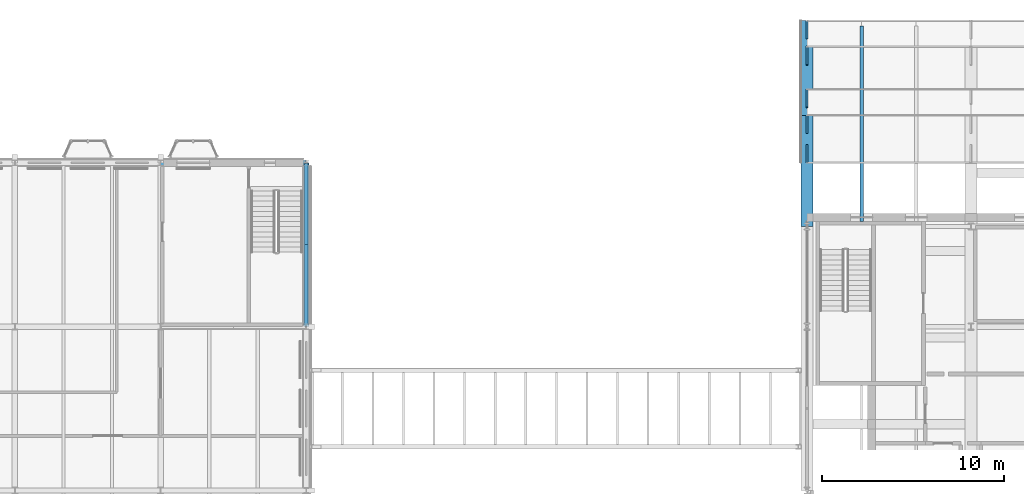
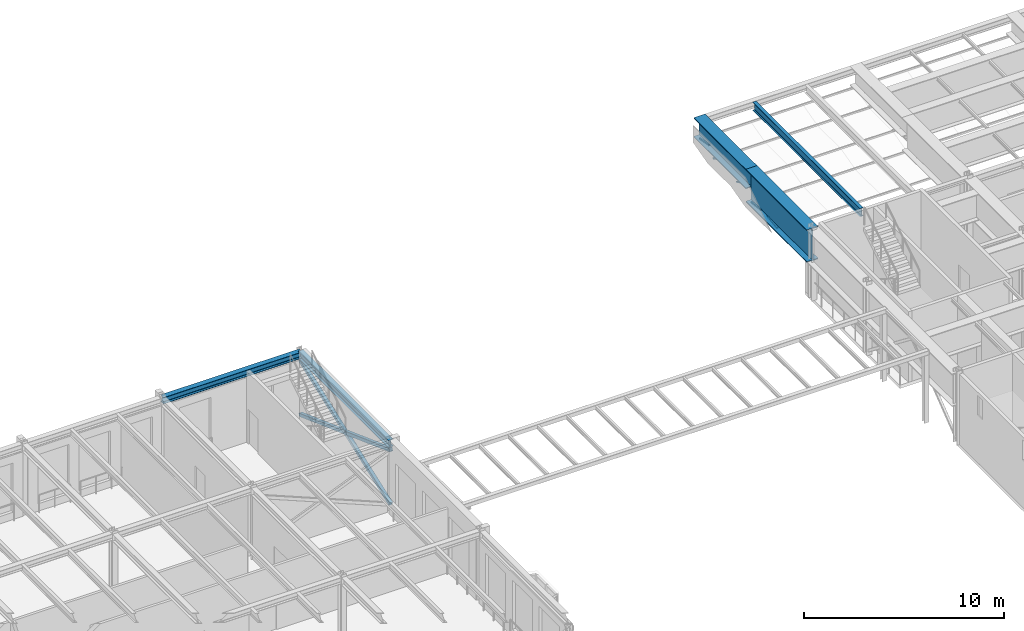
# One storey, part 57 of 153: 7 members, 5 beams.
"""IFC4 building model written with IfcOpenShell, lengths in metres."""

from ifc_helpers import new_model, si_unit, direction, frame, origin, origin_2d, place, context, subcontext, project, spatial, hollow_rectangle, i_section, extrude, material, material_profile, profile_set, type_object, element, save


model = new_model("IFC4")

# Units and contexts
model_context = context("Model", 3, precision=1e-05, world=origin(), true_north=direction((0.0, 1.0)))
body_context = subcontext(model_context, "Body", "Model", "MODEL_VIEW")
ifc_project = project(units=[si_unit("LENGTHUNIT", "METRE"), si_unit("AREAUNIT", "SQUARE_METRE"), si_unit("VOLUMEUNIT", "CUBIC_METRE"), si_unit("PLANEANGLEUNIT", "RADIAN"), si_unit("MASSUNIT", "GRAM", prefix="KILO")], contexts=[model_context])

# Site, building, storey
site_placement = place(None, origin())
site = spatial("IfcSite", under=ifc_project, at=site_placement, CompositionType="ELEMENT")
building_placement = place(site_placement, origin())
building = spatial("IfcBuilding", under=site, at=building_placement, Name="Kallimachos Central Library", CompositionType="ELEMENT")
storey_placement = place(building_placement, frame((0.0, 0.0, 5.39990234375)))
storey = spatial("IfcBuildingStorey", under=building, at=storey_placement, Name="L01", CompositionType="ELEMENT", Elevation=5.39990234375)

# Beams
ifc_material_1 = material(Name="Steel S355K2", Category="steel")
ifc_material_profile_1 = material_profile(ifc_material_1, i_section(OverallWidth=0.64990234375, OverallDepth=1.199951171875, WebThickness=0.02001953125, FlangeThickness=0.054931640625, at=origin_2d()), Name="PG 1200x650-20/55")
ifc_profile_set_1 = profile_set([ifc_material_profile_1], Name="Steel S355K2")
beam_type_1 = type_object("IfcBeamType", Name="Cantilever girder PG 1200x650-20/55", PredefinedType="BEAM", material=ifc_profile_set_1)
beam_1_placement = place(storey_placement, frame((65.5, 116.60009765625, 3.7001953125), z_axis=(0.0, 1.0, 0.0), x_axis=(-1.0, 0.0, 0.0)))
element("IfcBeam", 1, at=beam_1_placement, inside=storey, type_object=beam_type_1, Name="V1-BEM-L01-023", PredefinedType="BEAM", context=body_context, shape_type="SweptSolid", body=[
    extrude(i_section(OverallWidth=0.64990234375, OverallDepth=1.199951171875, WebThickness=0.02001953125, FlangeThickness=0.054931640625, at=origin_2d()), origin(), (0.0, 0.0, 1.0), 5.199951171875),
])
ifc_material_2 = material(Name="Steel S355K2", Category="steel")
ifc_material_profile_2 = material_profile(ifc_material_2, i_section(OverallWidth=0.64990234375, OverallDepth=2.0, WebThickness=0.034912109375, FlangeThickness=0.054931640625, at=origin_2d()), Name="PG 2000x650-35/55")
ifc_profile_set_2 = profile_set([ifc_material_profile_2], Name="Steel S355K2")
beam_type_2 = type_object("IfcBeamType", Name="Cantilever girder PG 2000x650-35/55", PredefinedType="BEAM", material=ifc_profile_set_2)
beam_2_placement = place(storey_placement, frame((65.5, 110.5, 3.300048828125), z_axis=(0.0, 1.0, 0.0), x_axis=(-1.0, 0.0, 0.0)))
element("IfcBeam", 2, at=beam_2_placement, inside=storey, type_object=beam_type_2, Name="V1-BEM-L01-022", PredefinedType="BEAM", context=body_context, shape_type="SweptSolid", body=[
    extrude(i_section(OverallWidth=0.64990234375, OverallDepth=2.0, WebThickness=0.034912109375, FlangeThickness=0.054931640625, at=origin_2d()), origin(), (0.0, 0.0, 1.0), 6.10009765625),
])
ifc_material_3 = material(Name="Steel S355J2", Category="steel")
ifc_material_profile_3 = material_profile(ifc_material_3, i_section(OverallWidth=0.300048828125, OverallDepth=0.389892578125, WebThickness=0.010986328125, FlangeThickness=0.01904296875, FilletRadius=0.027099609375, at=origin_2d()), Name="HEA 400")
ifc_profile_set_3 = profile_set([ifc_material_profile_3], Name="Steel S355J2")
beam_type_3 = type_object("IfcBeamType", Name="HEA 400 beam", PredefinedType="BEAM", material=ifc_profile_set_3)
beam_3_placement = place(storey_placement, frame((30.0, 114.0, 4.155029296875), z_axis=(1.0, 0.0, 0.0), x_axis=(0.0, 1.0, 0.0)))
element("IfcBeam", 3, at=beam_3_placement, inside=storey, type_object=beam_type_3, Name="V2-BEM-L01-031", PredefinedType="BEAM", context=body_context, shape_type="SweptSolid", body=[
    extrude(i_section(OverallWidth=0.300048828125, OverallDepth=0.389892578125, WebThickness=0.010986328125, FlangeThickness=0.01904296875, FilletRadius=0.027099609375, at=origin_2d()), origin(), (0.0, 0.0, 1.0), 8.0),
])
ifc_material_4 = material(Name="Steel S355J2", Category="steel")
ifc_material_profile_4 = material_profile(ifc_material_4, i_section(OverallWidth=0.300048828125, OverallDepth=0.43994140625, WebThickness=0.011474609375, FlangeThickness=0.02099609375, FilletRadius=0.027099609375, at=origin_2d()), Name="HEA 450")
ifc_profile_set_4 = profile_set([ifc_material_profile_4], Name="Steel S355J2")
beam_type_4 = type_object("IfcBeamType", Name="HEA 450 beam", PredefinedType="BEAM", material=ifc_profile_set_4)
beam_4_placement = place(storey_placement, frame((38.0, 105.0, 4.130126953125), z_axis=(0.0, 1.0, 0.0), x_axis=(-1.0, 0.0, 0.0)))
element("IfcBeam", 4, at=beam_4_placement, inside=storey, type_object=beam_type_4, Name="V2-BEM-L01-015", PredefinedType="BEAM", context=body_context, shape_type="SweptSolid", body=[
    extrude(i_section(OverallWidth=0.300048828125, OverallDepth=0.43994140625, WebThickness=0.011474609375, FlangeThickness=0.02099609375, FilletRadius=0.027099609375, at=origin_2d()), origin(), (0.0, 0.0, 1.0), 9.0),
])
ifc_material_5 = material(Name="Steel S355J2", Category="steel")
ifc_material_profile_5 = material_profile(ifc_material_5, i_section(OverallWidth=0.199951171875, OverallDepth=0.5, WebThickness=0.01025390625, FlangeThickness=0.01611328125, FilletRadius=0.02099609375, at=origin_2d()), Name="IPE 500")
ifc_profile_set_5 = profile_set([ifc_material_profile_5], Name="Steel S355J2")
beam_type_5 = type_object("IfcBeamType", Name="IPE 500 beam", PredefinedType="BEAM", material=ifc_profile_set_5)
beam_5_placement = place(storey_placement, frame((68.5, 110.780029296875, 4.050048828125), z_axis=(0.0, 1.0, 0.0), x_axis=(-1.0, 0.0, 0.0)))
element("IfcBeam", 5, at=beam_5_placement, inside=storey, type_object=beam_type_5, Name="V1-BEM-L01-066", PredefinedType="BEAM", context=body_context, shape_type="SweptSolid", body=[
    extrude(i_section(OverallWidth=0.199951171875, OverallDepth=0.5, WebThickness=0.01025390625, FlangeThickness=0.01611328125, FilletRadius=0.02099609375, at=origin_2d()), origin(), (0.0, 0.0, 1.0), 10.719970703125),
])

# Members
ifc_material_6 = material(Name="Steel S355J2H", Category="steel")
ifc_material_profile_6 = material_profile(ifc_material_6, hollow_rectangle(XDim=0.199951171875, YDim=0.199951171875, WallThickness=0.010009765625, InnerFilletRadius=0.010009765625, OuterFilletRadius=0.014892578125, at=origin_2d()), Name="SHS 200x200x10")
ifc_profile_set_6 = profile_set([ifc_material_profile_6], Name="Steel S355J2H")
member_type_1 = type_object("IfcMemberType", Name="SHS 200x200x10 brace", PredefinedType="BRACE", material=ifc_profile_set_6)
for number, where, z_axis, x_axis, name in (
    (6, (38.0, 105.0, 0.4501953125), (0.0, 0.938882901191, 0.344236688707), (-1.0, 0.0, 0.0), "V2-MEM-L01-005"),
    (7, (38.0, 105.0, 3.75), (0.0, 0.938882901191, -0.344236688707), (-1.0, 0.0, 0.0), "V2-MEM-L01-006"),
):
    element("IfcMember", number, at=place(storey_placement, frame(where, z_axis=z_axis, x_axis=x_axis)), inside=storey, type_object=member_type_1, Name=name, PredefinedType="BRACE", context=body_context, shape_type="SweptSolid", body=[
        extrude(hollow_rectangle(XDim=0.199951171875, YDim=0.199951171875, WallThickness=0.010009765625, InnerFilletRadius=0.010009765625, OuterFilletRadius=0.014892578125, at=origin_2d()), origin(), (0.0, 0.0, 1.0), 9.5859375),
    ])
ifc_material_7 = material(Name="Steel S355J2H", Category="steel")
ifc_material_profile_7 = material_profile(ifc_material_7, hollow_rectangle(XDim=0.10009765625, YDim=0.10009765625, WallThickness=0.008056640625, InnerFilletRadius=0.008056640625, OuterFilletRadius=0.011962890625, at=origin_2d()), Name="SHS 100x100x8")
ifc_profile_set_7 = profile_set([ifc_material_profile_7], Name="Steel S355J2H")
member_type_2 = type_object("IfcMemberType", Name="Soffit hanger SHS 100x100x8", PredefinedType="POST", material=ifc_profile_set_7)
member_1_placement = place(storey_placement, frame((65.5, 121.77001953125, 2.943115234375), z_axis=(0.0, -0.98541855723, 0.170147780081), x_axis=(1.0, 0.0, 0.0)))
element("IfcMember", 8, at=member_1_placement, inside=storey, type_object=member_type_2, Name="Soffit hanger 1", PredefinedType="POST", context=body_context, shape_type="SweptSolid", body=[
    extrude(hollow_rectangle(XDim=0.10009765625, YDim=0.10009765625, WallThickness=0.008056640625, InnerFilletRadius=0.008056640625, OuterFilletRadius=0.011962890625, at=origin_2d()), origin(), (0.0, 0.0, 1.0), 0.984375),
])
member_2_placement = place(storey_placement, frame((65.5, 120.375, 2.567138671875), z_axis=(0.0, -0.87673962239, 0.48096531531), x_axis=(1.0, 0.0, 0.0)))
element("IfcMember", 9, at=member_2_placement, inside=storey, type_object=member_type_2, Name="Soffit hanger 2", PredefinedType="POST", context=body_context, shape_type="SweptSolid", body=[
    extrude(hollow_rectangle(XDim=0.10009765625, YDim=0.10009765625, WallThickness=0.008056640625, InnerFilletRadius=0.008056640625, OuterFilletRadius=0.011962890625, at=origin_2d()), origin(), (0.0, 0.0, 1.0), 1.140625),
])
member_3_placement = place(storey_placement, frame((65.5, 118.02490234375, 2.55615234375), z_axis=(0.0, -0.872575028255, 0.488480112253), x_axis=(1.0, 0.0, 0.0)))
element("IfcMember", 10, at=member_3_placement, inside=storey, type_object=member_type_2, Name="Soffit hanger 3", PredefinedType="POST", context=body_context, shape_type="SweptSolid", body=[
    extrude(hollow_rectangle(XDim=0.10009765625, YDim=0.10009765625, WallThickness=0.008056640625, InnerFilletRadius=0.008056640625, OuterFilletRadius=0.011962890625, at=origin_2d()), origin(), (0.0, 0.0, 1.0), 1.14599609375),
])
member_4_placement = place(storey_placement, frame((65.5, 116.60009765625, 2.190673828125), z_axis=(0.0, -0.992920360357, 0.118781976703), x_axis=(1.0, 0.0, 0.0)))
element("IfcMember", 11, at=member_4_placement, inside=storey, type_object=member_type_2, Name="Soffit hanger 4", PredefinedType="POST", context=body_context, shape_type="SweptSolid", body=[
    extrude(hollow_rectangle(XDim=0.10009765625, YDim=0.10009765625, WallThickness=0.008056640625, InnerFilletRadius=0.008056640625, OuterFilletRadius=0.011962890625, at=origin_2d()), origin(), (0.0, 0.0, 1.0), 1.007080078125),
])
member_5_placement = place(storey_placement, frame((65.5, 114.0, 2.1796875), z_axis=(0.0, 0.991577447063, 0.129515120649), x_axis=(-1.0, 0.0, 0.0)))
element("IfcMember", 12, at=member_5_placement, inside=storey, type_object=member_type_2, Name="Soffit hanger 5", PredefinedType="POST", context=body_context, shape_type="SweptSolid", body=[
    extrude(hollow_rectangle(XDim=0.10009765625, YDim=0.10009765625, WallThickness=0.008056640625, InnerFilletRadius=0.008056640625, OuterFilletRadius=0.011962890625, at=origin_2d()), origin(), (0.0, 0.0, 1.0), 1.008544921875),
])

save(model, "model.ifc")
